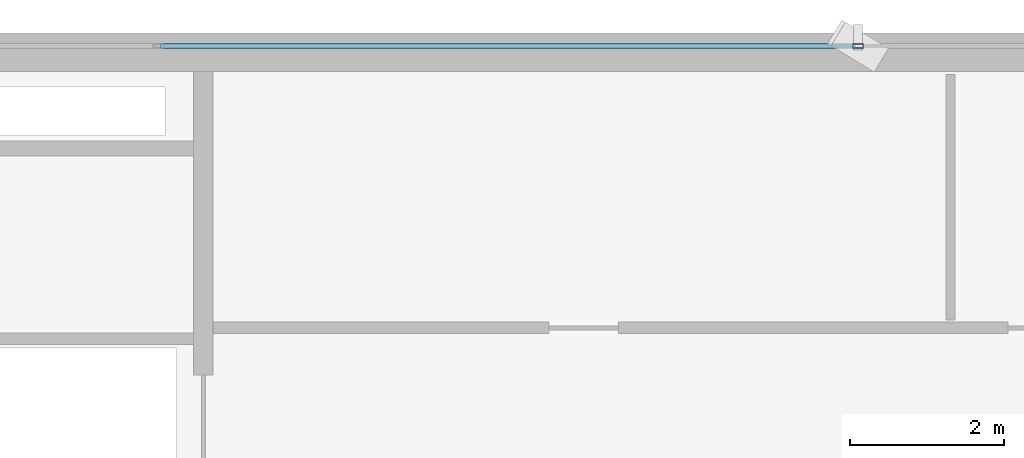
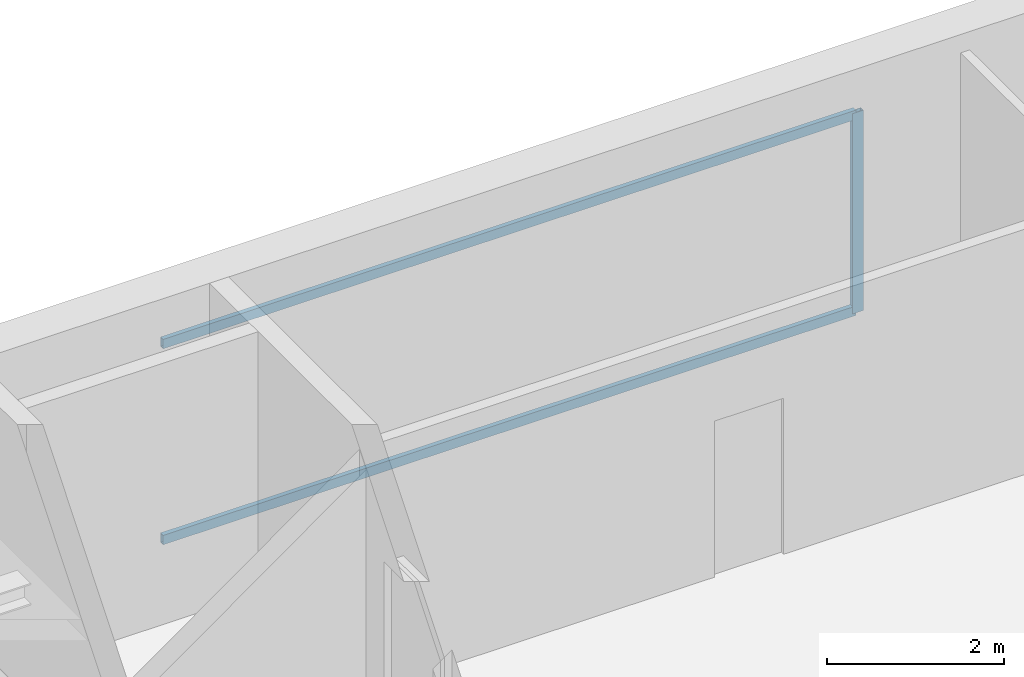
# One storey, part 20 of 29: 3 members, 1 element without a shape of its own.
"""IFC4 building model written with IfcOpenShell, lengths in metres."""

from ifc_helpers import new_model, si_unit, direction, frame, origin, origin_2d, place, context, subcontext, project, spatial, hollow_rectangle, extrude, source, transform, mapped, material, layer, layer_set, material_profile, profile_set, type_object, element, aggregate, save


model = new_model("IFC4")

# Units and contexts
model_context = context("Model", 3, precision=1e-05, world=origin(), true_north=direction((0.0, 1.0)))
body_context = subcontext(model_context, "Body", "Model", "MODEL_VIEW")
ifc_project = project(units=[si_unit("LENGTHUNIT", "METRE"), si_unit("AREAUNIT", "SQUARE_METRE"), si_unit("VOLUMEUNIT", "CUBIC_METRE"), si_unit("PLANEANGLEUNIT", "RADIAN"), si_unit("MASSUNIT", "GRAM", prefix="KILO")], contexts=[model_context])

# Site, building, storey
site_placement = place(None, origin())
site = spatial("IfcSite", under=ifc_project, at=site_placement, CompositionType="ELEMENT")
building_placement = place(site_placement, origin())
building = spatial("IfcBuilding", under=site, at=building_placement, Name="Sumidabori Civic Tower", CompositionType="ELEMENT")
storey_placement = place(building_placement, frame((0.0, 0.0, 218.0)))
storey = spatial("IfcBuildingStorey", under=building, at=storey_placement, Name="L56", CompositionType="ELEMENT", Elevation=218.0)

# Curtain wall, members
ifc_material = material(Name="Anodised Bronze Aluminium AW-6063-T6", Category="aluminium")
ifc_layer = layer(ifc_material, 0.179931640625, Name="Anodised Bronze Aluminium AW-6063-T6")
ifc_layer_set = layer_set([ifc_layer], Name="Anodised Bronze Aluminium AW-6063-T6")
curtain_wall_type = type_object("IfcCurtainWallType", Name="CW-SYS-5", PredefinedType="NOTDEFINED", material=ifc_layer_set)
curtain_wall_placement = place(storey_placement, origin())
curtain_wall = element("IfcCurtainWall", 1, at=curtain_wall_placement, inside=storey, type_object=curtain_wall_type, Name="Curtain Wall CW:L56:R13", PredefinedType="NOTDEFINED")
ifc_material_profile_1 = material_profile(ifc_material, hollow_rectangle(XDim=0.06005859375, YDim=0.139892578125, WallThickness=0.0048828125, at=origin_2d()), Name="ALU MULLION 140x60")
ifc_profile_set_1 = profile_set([ifc_material_profile_1], Name="Anodised Bronze Aluminium AW-6063-T6")
member_type_1 = type_object("IfcMemberType", Name="CW-MUL-140", PredefinedType="MULLION", material=ifc_profile_set_1)
shared_shape_1 = source(origin(), body_context, "Body", "SweptSolid", [
    extrude(hollow_rectangle(XDim=0.06005859375, YDim=0.139892578125, WallThickness=0.0048828125, at=origin_2d()), origin(), (0.0, 0.0, 1.0), 2.760009765625),
])
member_1_placement = place(storey_placement, frame((0.0, 23.8798828125, 0.0), z_axis=(0.0, 0.0, 1.0), x_axis=(0.0, -1.0, 0.0)))
member_1 = element("IfcMember", 2, at=member_1_placement, type_object=member_type_1, Name="CW-5 mullion 3", PredefinedType="MULLION", context=body_context, shape_type="MappedRepresentation", body=[
    mapped(shared_shape_1, transform((0.0, 0.0, 0.0), x_axis=(1.0, 0.0, 0.0), y_axis=(0.0, 1.0, 0.0), z_axis=(0.0, 0.0, 1.0), scale=1.0)),
])
ifc_material_profile_2 = material_profile(ifc_material, hollow_rectangle(XDim=0.06005859375, YDim=0.1298828125, WallThickness=0.0048828125, at=origin_2d()), Name="ALU TRANSOM 130x60")
ifc_profile_set_2 = profile_set([ifc_material_profile_2], Name="Anodised Bronze Aluminium AW-6063-T6")
member_type_2 = type_object("IfcMemberType", Name="CW-TRN-130", PredefinedType="USERDEFINED", material=ifc_profile_set_2)
shared_shape_2 = source(origin(), body_context, "Body", "SweptSolid", [
    extrude(hollow_rectangle(XDim=0.06005859375, YDim=0.1298828125, WallThickness=0.0048828125, at=origin_2d()), origin(), (0.0, 0.0, 1.0), 9.02490234375),
])
member_2_placement = place(storey_placement, frame((-0.030029296875, 23.8798828125, 0.030029296875), z_axis=(-1.0, 0.0, 0.0), x_axis=(0.0, -1.0, 0.0)))
member_2 = element("IfcMember", 3, at=member_2_placement, type_object=member_type_2, Name="CW-5 transom 3.1", ObjectType="TRANSOM", PredefinedType="USERDEFINED", context=body_context, shape_type="MappedRepresentation", body=[
    mapped(shared_shape_2, transform((0.0, 0.0, 0.0), x_axis=(1.0, 0.0, 0.0), y_axis=(0.0, 1.0, 0.0), z_axis=(0.0, 0.0, 1.0), scale=1.0)),
])
member_3_placement = place(storey_placement, frame((-0.030029296875, 23.8798828125, 2.72998046875), z_axis=(-1.0, 0.0, 0.0), x_axis=(0.0, -1.0, 0.0)))
member_3 = element("IfcMember", 4, at=member_3_placement, type_object=member_type_2, Name="CW-5 transom 3.2", ObjectType="TRANSOM", PredefinedType="USERDEFINED", context=body_context, shape_type="MappedRepresentation", body=[
    mapped(shared_shape_2, transform((0.0, 0.0, 0.0), x_axis=(1.0, 0.0, 0.0), y_axis=(0.0, 1.0, 0.0), z_axis=(0.0, 0.0, 1.0), scale=1.0)),
])
aggregate(curtain_wall, [member_1, member_2, member_3])

save(model, "model.ifc")
